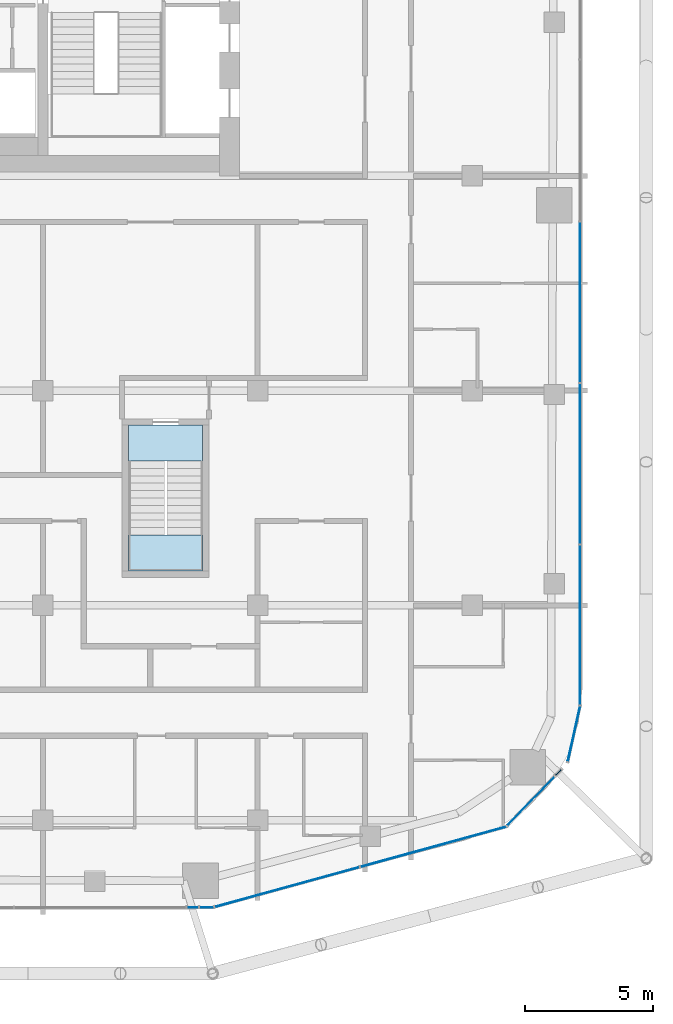
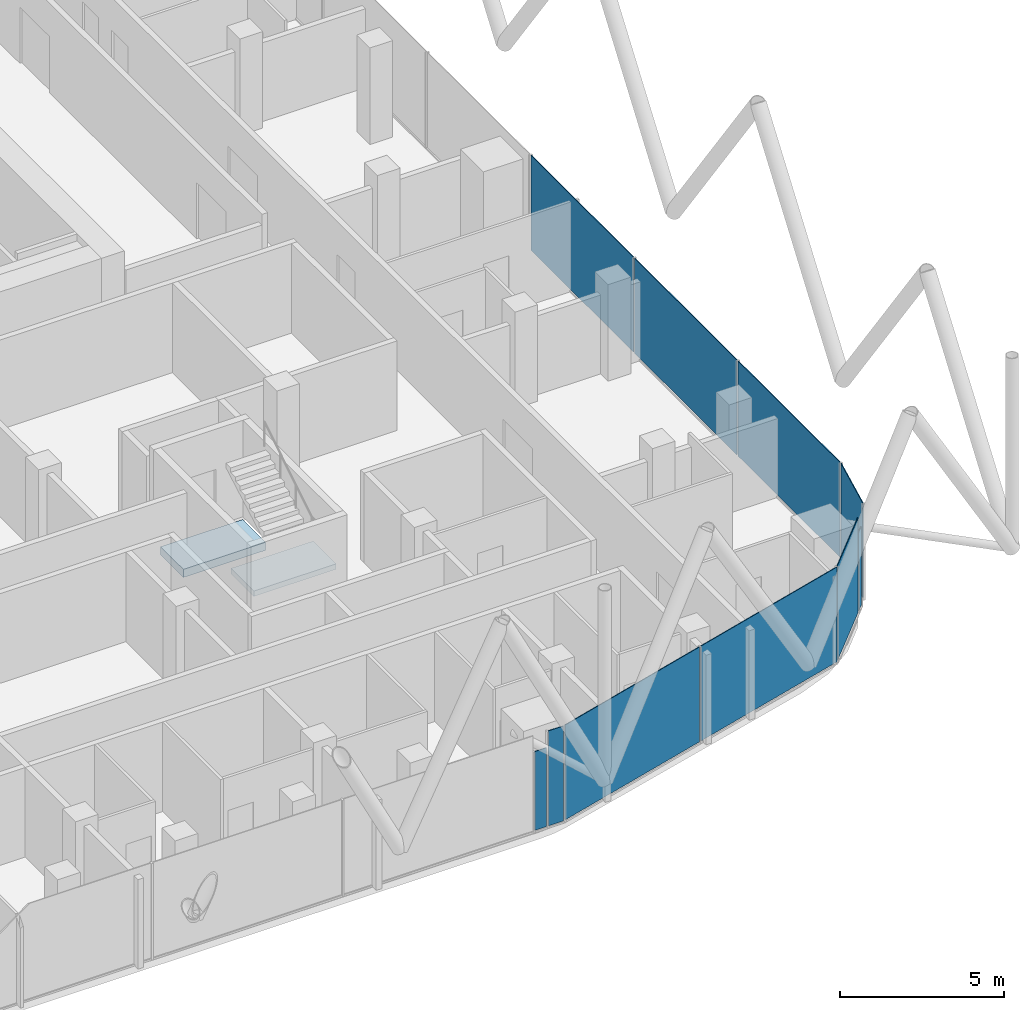
# One storey, part 16 of 28: 10 plates, 2 slabs, 8 elements without a shape of their own.
"""IFC4 building model written with IfcOpenShell, lengths in metres."""

from ifc_helpers import new_model, si_unit, direction, frame, origin, origin_2d, place, context, subcontext, project, spatial, polyline, rectangle, outline, extrude, material, layer, layer_set, type_object, element, aggregate, save


model = new_model("IFC4")

# Units and contexts
model_context = context("Model", 3, precision=1e-05, world=origin(), true_north=direction((0.0, 1.0)))
body_context = subcontext(model_context, "Body", "Model", "MODEL_VIEW")
ifc_project = project(units=[si_unit("LENGTHUNIT", "METRE"), si_unit("AREAUNIT", "SQUARE_METRE"), si_unit("VOLUMEUNIT", "CUBIC_METRE"), si_unit("PLANEANGLEUNIT", "RADIAN"), si_unit("MASSUNIT", "GRAM", prefix="KILO")], contexts=[model_context])

# Site, building, storey
site_placement = place(None, origin())
site = spatial("IfcSite", under=ifc_project, at=site_placement, CompositionType="ELEMENT")
building_placement = place(site_placement, origin())
building = spatial("IfcBuilding", under=site, at=building_placement, Name="Marenta Gate Hotel Tower", CompositionType="ELEMENT")
storey_placement = place(building_placement, frame((0.0, 0.0, 198.5)))
storey = spatial("IfcBuildingStorey", under=building, at=storey_placement, Name="L45", CompositionType="ELEMENT", Elevation=198.5)

# Curtain wall, plate
ifc_material_1 = material(Name="Tinted insulated glass in bronze anodised frame", Category="glass")
ifc_layer_1 = layer(ifc_material_1, 0.1201171875)
ifc_layer_set_1 = layer_set([ifc_layer_1], Name="Tinted insulated glass in bronze anodised frame")
curtain_wall_type = type_object("IfcCurtainWallType", Name="Tower unitised curtain wall CW1", PredefinedType="NOTDEFINED", material=ifc_layer_set_1)
curtain_wall_1_placement = place(storey_placement, origin())
curtain_wall_1 = element("IfcCurtainWall", 1, at=curtain_wall_1_placement, inside=storey, type_object=curtain_wall_type, Name="CW1 run G13", PredefinedType="NOTDEFINED")
ifc_material_2 = material(Name="Tinted insulated glass", Category="glass")
ifc_layer_2 = layer(ifc_material_2, 0.028076171875)
ifc_layer_set_2 = layer_set([ifc_layer_2], Name="Tinted insulated glass")
plate_type = type_object("IfcPlateType", Name="Glass panel CW1 28 mm tinted insulated unit", PredefinedType="CURTAIN_PANEL", material=ifc_layer_set_2)
plate_1_placement = place(storey_placement, frame((10.06201171875, -28.614013671875, 0.06005859375), z_axis=(0.0, 0.0, 1.0), x_axis=(0.999998577531, 0.001686693784, 0.0)))
plate_1 = element("IfcPlate", 2, at=plate_1_placement, type_object=plate_type, Name="CW1 panel 1.1", PredefinedType="CURTAIN_PANEL", context=body_context, shape_type="SweptSolid", body=[
    extrude(rectangle(XDim=0.414306640625, YDim=0.028076171875, at=origin_2d()), origin(), (0.0, 0.0, 1.0), 2.9404296875),
])
aggregate(curtain_wall_1, [plate_1])

curtain_wall_2_placement = place(storey_placement, origin())
curtain_wall_2 = element("IfcCurtainWall", 3, at=curtain_wall_2_placement, inside=storey, type_object=curtain_wall_type, Name="CW1 run G14", PredefinedType="NOTDEFINED")
plate_2_placement = place(storey_placement, frame((10.601318359375, -28.613037109375, 0.06005859375), z_axis=(0.0, 0.0, 1.0), x_axis=(0.999998631715, 0.001654257461, 0.0)))
plate_2 = element("IfcPlate", 4, at=plate_2_placement, type_object=plate_type, Name="CW1 panel 1.1", PredefinedType="CURTAIN_PANEL", context=body_context, shape_type="SweptSolid", body=[
    extrude(rectangle(XDim=0.54443359375, YDim=0.028076171875, at=origin_2d()), origin(), (0.0, 0.0, 1.0), 3.5400390625),
])
aggregate(curtain_wall_2, [plate_2])

# Curtain wall, plates
curtain_wall_3_placement = place(storey_placement, origin())
curtain_wall_3 = element("IfcCurtainWall", 5, at=curtain_wall_3_placement, inside=storey, type_object=curtain_wall_type, Name="CW1 run G15", PredefinedType="NOTDEFINED")
plate_3_placement = place(storey_placement, frame((13.7509765625, -27.82080078125, 0.06005859375), z_axis=(0.0, 0.0, 1.0), x_axis=(0.964167765212, 0.265293272675, 0.0)))
plate_3 = element("IfcPlate", 6, at=plate_3_placement, type_object=plate_type, Name="CW1 panel 1.1", PredefinedType="CURTAIN_PANEL", context=body_context, shape_type="SweptSolid", body=[
    extrude(rectangle(XDim=5.848388671875, YDim=0.028076171875, at=origin_2d()), origin(), (0.0, 0.0, 1.0), 3.5400390625),
])
plate_4_placement = place(storey_placement, frame((19.4765625, -26.245361328125, 0.06005859375), z_axis=(0.0, 0.0, 1.0), x_axis=(0.964167765212, 0.265293272675, 0.0)))
plate_4 = element("IfcPlate", 7, at=plate_4_placement, type_object=plate_type, Name="CW1 panel 2.1", PredefinedType="CURTAIN_PANEL", context=body_context, shape_type="SweptSolid", body=[
    extrude(rectangle(XDim=5.908203125, YDim=0.028076171875, at=origin_2d()), origin(), (0.0, 0.0, 1.0), 3.5400390625),
])
aggregate(curtain_wall_3, [plate_3, plate_4])

# Curtain wall, plate
curtain_wall_4_placement = place(storey_placement, origin())
curtain_wall_4 = element("IfcCurtainWall", 8, at=curtain_wall_4_placement, inside=storey, type_object=curtain_wall_type, Name="CW1 run G16", PredefinedType="NOTDEFINED")
plate_5_placement = place(storey_placement, frame((23.284912109375, -24.461669921875, 0.06005859375), z_axis=(0.0, 0.0, 1.0), x_axis=(0.692544874237, 0.721374796599, 0.0)))
plate_5 = element("IfcPlate", 9, at=plate_5_placement, type_object=plate_type, Name="CW1 panel 1.1", PredefinedType="CURTAIN_PANEL", context=body_context, shape_type="SweptSolid", body=[
    extrude(rectangle(XDim=2.652587890625, YDim=0.028076171875, at=origin_2d()), origin(), (0.0, 0.0, 1.0), 3.5400390625),
])
aggregate(curtain_wall_4, [plate_5])

curtain_wall_5_placement = place(storey_placement, origin())
curtain_wall_5 = element("IfcCurtainWall", 10, at=curtain_wall_5_placement, inside=storey, type_object=curtain_wall_type, Name="CW1 run G17", PredefinedType="NOTDEFINED")
plate_6_placement = place(storey_placement, frame((24.360107421875, -23.341552734375, 0.06005859375), z_axis=(0.0, 0.0, 1.0), x_axis=(0.692499661278, 0.721418199888, 0.0)))
plate_6 = element("IfcPlate", 11, at=plate_6_placement, type_object=plate_type, Name="CW1 panel 1.1", PredefinedType="CURTAIN_PANEL", context=body_context, shape_type="SweptSolid", body=[
    extrude(rectangle(XDim=0.3330078125, YDim=0.028076171875, at=origin_2d()), origin(), (0.0, 0.0, 1.0), 2.9404296875),
])
aggregate(curtain_wall_5, [plate_6])

curtain_wall_6_placement = place(storey_placement, origin())
curtain_wall_6 = element("IfcCurtainWall", 12, at=curtain_wall_6_placement, inside=storey, type_object=curtain_wall_type, Name="CW1 run G18", PredefinedType="NOTDEFINED")
plate_7_placement = place(storey_placement, frame((24.9736328125, -21.825927734375, 0.06005859375), z_axis=(0.0, 0.0, 1.0), x_axis=(0.216842096529, 0.97620669183, 0.0)))
plate_7 = element("IfcPlate", 13, at=plate_7_placement, type_object=plate_type, Name="CW1 panel 1.1", PredefinedType="CURTAIN_PANEL", context=body_context, shape_type="SweptSolid", body=[
    extrude(rectangle(XDim=2.216796875, YDim=0.028076171875, at=origin_2d()), origin(), (0.0, 0.0, 1.0), 3.5400390625),
])
aggregate(curtain_wall_6, [plate_7])

# Curtain wall, plates
curtain_wall_7_placement = place(storey_placement, origin())
curtain_wall_7 = element("IfcCurtainWall", 14, at=curtain_wall_7_placement, inside=storey, type_object=curtain_wall_type, Name="CW1 run G19", PredefinedType="NOTDEFINED")
plate_8_placement = place(storey_placement, frame((25.214111328125, -17.567626953125, 0.06005859375), z_axis=(0.0, 0.0, 1.0), x_axis=(0.0, 1.0, 0.0)))
plate_8 = element("IfcPlate", 15, at=plate_8_placement, type_object=plate_type, Name="CW1 panel 1.1", PredefinedType="CURTAIN_PANEL", context=body_context, shape_type="SweptSolid", body=[
    extrude(rectangle(XDim=6.232666015625, YDim=0.028076171875, at=origin_2d()), origin(), (0.0, 0.0, 1.0), 3.5400390625),
])
plate_9_placement = place(storey_placement, frame((25.214111328125, -11.260009765625, 0.06005859375), z_axis=(0.0, 0.0, 1.0), x_axis=(0.0, 1.0, 0.0)))
plate_9 = element("IfcPlate", 16, at=plate_9_placement, type_object=plate_type, Name="CW1 panel 2.1", PredefinedType="CURTAIN_PANEL", context=body_context, shape_type="SweptSolid", body=[
    extrude(rectangle(XDim=6.2626953125, YDim=0.028076171875, at=origin_2d()), origin(), (0.0, 0.0, 1.0), 3.5400390625),
])
plate_10_placement = place(storey_placement, frame((25.214111328125, -4.937255859375, 0.06005859375), z_axis=(0.0, 0.0, 1.0), x_axis=(0.0, 1.0, 0.0)))
plate_10 = element("IfcPlate", 17, at=plate_10_placement, type_object=plate_type, Name="CW1 panel 3.1", PredefinedType="CURTAIN_PANEL", context=body_context, shape_type="SweptSolid", body=[
    extrude(rectangle(XDim=6.2626953125, YDim=0.028076171875, at=origin_2d()), origin(), (0.0, 0.0, 1.0), 3.5400390625),
])
aggregate(curtain_wall_7, [plate_8, plate_9, plate_10])

# Stair, slab
ifc_material_3 = material(Name="Concrete C40", Category="concrete")
stair_type = type_object("IfcStairType", Name="Remote exit stair 1400 wide", PredefinedType="HALF_TURN_STAIR", material=ifc_material_3)
stair_placement = place(storey_placement, origin())
stair = element("IfcStair", 18, at=stair_placement, inside=storey, type_object=stair_type, Name="Exit stair RS-Z3-2", PredefinedType="HALF_TURN_STAIR")
ifc_material_4 = material(Name="Concrete C40", Category="concrete")
ifc_layer_3 = layer(ifc_material_4, 0.199951171875)
ifc_layer_set_3 = layer_set([ifc_layer_3], Name="Concrete C40")
slab_type_1 = type_object("IfcSlabType", Name="Remote stair landing 200", PredefinedType="LANDING", material=ifc_layer_set_3)
slab_1_placement = place(storey_placement, frame((0.0, 0.0, 1.60009765625)))
slab_1 = element("IfcSlab", 19, at=slab_1_placement, type_object=slab_type_1, Name="RL-200 RS-Z3-2 landing 1", PredefinedType="LANDING", context=body_context, shape_type="SweptSolid", body=[
    extrude(outline(polyline([(7.550048828125, -15.449951171875), (10.449951171875, -15.449951171875), (10.449951171875, -14.050048828125), (7.550048828125, -14.050048828125), (7.550048828125, -15.449951171875)])), origin(), (0.0, 0.0, 1.0), 0.199951171875),
])
aggregate(stair, [slab_1])

# Slab
ifc_material_5 = material(Name="Concrete C40", Category="concrete")
ifc_layer_4 = layer(ifc_material_5, 0.300048828125)
ifc_layer_set_4 = layer_set([ifc_layer_4], Name="Concrete C40")
slab_type_2 = type_object("IfcSlabType", Name="Stair floor landing slab 300", PredefinedType="FLOOR", material=ifc_layer_set_4)
slab_2_placement = place(storey_placement, frame((0.0, 0.0, -0.300048828125)))
element("IfcSlab", 20, at=slab_2_placement, inside=storey, type_object=slab_type_2, Name="L45-RS-Z3-2-CL", PredefinedType="FLOOR", context=body_context, shape_type="SweptSolid", body=[
    extrude(outline(polyline([(10.449951171875, -11.14990234375), (10.449951171875, -9.75), (7.550048828125, -9.75), (7.550048828125, -11.14990234375), (10.449951171875, -11.14990234375)])), origin(), (0.0, 0.0, 1.0), 0.300048828125),
])

save(model, "model.ifc")
